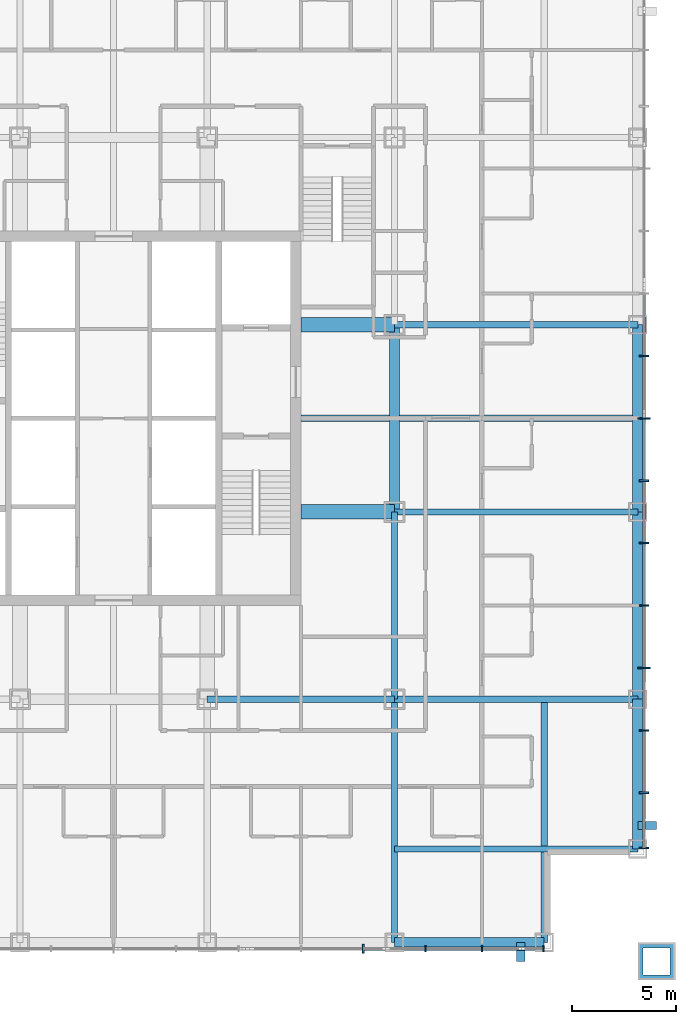
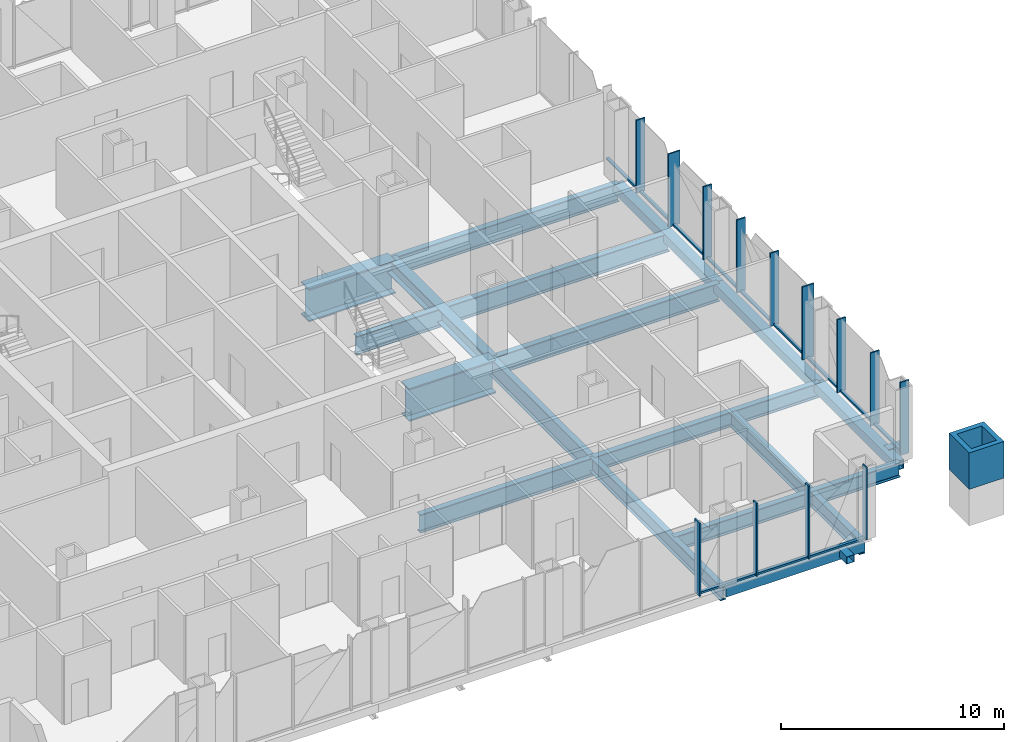
# One storey, part 3 of 23: 28 members, 16 beams, 2 elements without a shape of their own.
"""IFC4 building model written with IfcOpenShell, lengths in metres."""

import ifcopenshell
import ifcopenshell.guid

model = None  # the IFC model being written
_history = None  # IfcOwnerHistory: only IFC2X3 demands one
_inside = {}  # id of a spatial element -> (the spatial element, [elements in it])
_under = {}  # id of a project, library or spatial element -> (it, [spatial elements below it])
_declared = {}  # id of a project -> (the project, [libraries it declares])
_typed = {}  # id of a type object -> (the type object, [elements of that type])
_made_of = {}  # id of a material, layer set ... -> (it, [elements and type objects made of it])


def new_model(schema):
    """Start an empty IFC model of exactly this schema.

    Asked for "IFC4X3", IfcOpenShell would pick the latest addendum, in which some entities
    have other attributes; the version numbers below select the first issue.
    IFC2X3 requires an IfcOwnerHistory on every rooted entity: one is made here for all.
    """
    global model, _history
    if schema == "IFC4X3":
        model = ifcopenshell.file(schema_version=(4, 3, 0, 0))
    else:
        model = ifcopenshell.file(schema=schema)
    _inside.clear()
    _under.clear()
    _declared.clear()
    _typed.clear()
    _made_of.clear()
    _history = None
    if model.schema == "IFC2X3":
        org = make("IfcOrganization", Name="unknown")
        user = make(
            "IfcPersonAndOrganization",
            ThePerson=make("IfcPerson", FamilyName="unknown"),
            TheOrganization=org,
        )
        app = make(
            "IfcApplication",
            ApplicationDeveloper=org,
            Version="unknown",
            ApplicationFullName="unknown",
            ApplicationIdentifier="unknown",
        )
        _history = make(
            "IfcOwnerHistory",
            OwningUser=user,
            OwningApplication=app,
            ChangeAction="ADDED",
            CreationDate=0,
        )
    return model


def make(cls, **values):
    """One entity of the class cls with the attributes given. An attribute that is None is left unset."""
    return model.create_entity(
        cls, **{name: value for name, value in values.items() if value is not None}
    )


def rooted(cls, **values):
    """An entity with a GlobalId (a new one), such as an element, a storey or a relation."""
    return make(cls, GlobalId=ifcopenshell.guid.new(), OwnerHistory=_history, **values)


def si_unit(unit_type, name, prefix=None):
    """IfcSIUnit, for example si_unit("LENGTHUNIT", "METRE", prefix="MILLI")."""
    return make("IfcSIUnit", UnitType=unit_type, Prefix=prefix, Name=name)


def assignment(units):
    """IfcUnitAssignment: the units of a project."""
    return None if units is None else make("IfcUnitAssignment", Units=units)


def point(xyz):
    """IfcCartesianPoint."""
    return None if xyz is None else make("IfcCartesianPoint", Coordinates=xyz)


def direction(xyz):
    """IfcDirection."""
    return None if xyz is None else make("IfcDirection", DirectionRatios=xyz)


def frame(location, z_axis=None, x_axis=None):
    """IfcAxis2Placement3D, a coordinate frame: its origin and axes. An axis left out is left unset."""
    return make(
        "IfcAxis2Placement3D",
        Location=point(location),
        Axis=direction(z_axis),
        RefDirection=direction(x_axis),
    )


def frame_2d(location, x_axis=None):
    """IfcAxis2Placement2D, a coordinate frame in the plane: its origin and x axis."""
    return make(
        "IfcAxis2Placement2D", Location=point(location), RefDirection=direction(x_axis)
    )


def origin():
    """The frame at (0, 0, 0) with its axes left unset."""
    return frame((0.0, 0.0, 0.0))


def origin_2d():
    """The frame at (0, 0) in the plane with its x axis left unset."""
    return frame_2d((0.0, 0.0))


def place(relative_to, where):
    """IfcLocalPlacement: puts the frame where relative to a parent placement (None: the world)."""
    return make(
        "IfcLocalPlacement", PlacementRelTo=relative_to, RelativePlacement=where
    )


def context(
    kind, dimensions, precision=None, world=None, true_north=None, identifier=None
):
    """IfcGeometricRepresentationContext, for example the 3D "Model" context."""
    return make(
        "IfcGeometricRepresentationContext",
        ContextIdentifier=identifier,
        ContextType=kind,
        CoordinateSpaceDimension=dimensions,
        Precision=precision,
        WorldCoordinateSystem=world,
        TrueNorth=true_north,
    )


def subcontext(parent, identifier, kind, view, scale=None):
    """IfcGeometricRepresentationSubContext, for example "Body" below "Model"."""
    return make(
        "IfcGeometricRepresentationSubContext",
        ContextIdentifier=identifier,
        ContextType=kind,
        ParentContext=parent,
        TargetScale=scale,
        TargetView=view,
    )


def project(units=None, contexts=None):
    """IfcProject with its units and contexts."""
    return rooted(
        "IfcProject",
        Name="project",
        RepresentationContexts=contexts,
        UnitsInContext=assignment(units),
    )


def spatial(cls, under=None, at=None, **own):
    """A site, building, storey or space (cls), placed at a placement, below another one or the project."""
    s = rooted(cls, ObjectPlacement=at, **own)
    if under is not None:
        _under.setdefault(under.id(), (under, []))[1].append(s)
    return s


def profile(cls, at=None, kind="AREA", **sizes):
    """A parametric profile (cls). Its sizes go by their IFC names, for example OverallWidth=200.0."""
    return make(cls, ProfileType=kind, Position=at, **sizes)


def rectangle(**sizes):
    """IfcRectangleProfileDef."""
    return profile("IfcRectangleProfileDef", **sizes)


def hollow_rectangle(**sizes):
    """IfcRectangleHollowProfileDef."""
    return profile("IfcRectangleHollowProfileDef", **sizes)


def i_section(**sizes):
    """IfcIShapeProfileDef."""
    return profile("IfcIShapeProfileDef", **sizes)


def extrude(swept, where, along, depth):
    """IfcExtrudedAreaSolid: the profile swept, set in the frame where, extruded along a direction by depth."""
    return make(
        "IfcExtrudedAreaSolid",
        SweptArea=swept,
        Position=where,
        ExtrudedDirection=direction(along),
        Depth=depth,
    )


def shape(context_of_items, identifier, shape_type, items):
    """IfcShapeRepresentation: the items that make up one representation, for example the "Body"."""
    return make(
        "IfcShapeRepresentation",
        ContextOfItems=context_of_items,
        RepresentationIdentifier=identifier,
        RepresentationType=shape_type,
        Items=items,
    )


def material(Name=None, Category=None):
    """IfcMaterial."""
    return make("IfcMaterial", Name=Name, Category=Category)


def layer(
    of_material, thickness, ventilated=None, Name=None, Category=None, Priority=None
):
    """IfcMaterialLayer: one layer of a wall or slab, of a material (None: an air gap)."""
    return make(
        "IfcMaterialLayer",
        Material=of_material,
        LayerThickness=thickness,
        IsVentilated=ventilated,
        Name=Name,
        Category=Category,
        Priority=Priority,
    )


def layer_set(layers, Name=None):
    """IfcMaterialLayerSet."""
    return make("IfcMaterialLayerSet", MaterialLayers=layers, LayerSetName=Name)


def material_profile(
    of_material, cross_section, Name=None, Category=None, Priority=None
):
    """IfcMaterialProfile: a cross section and its material."""
    return make(
        "IfcMaterialProfile",
        Name=Name,
        Material=of_material,
        Profile=cross_section,
        Priority=Priority,
        Category=Category,
    )


def profile_set(profiles, Name=None, composite=None):
    """IfcMaterialProfileSet."""
    return make(
        "IfcMaterialProfileSet",
        Name=Name,
        MaterialProfiles=profiles,
        CompositeProfile=composite,
    )


def made_of(thing, what):
    """Note that an element or type object is made of a material, layer set ...; save() writes the relation."""
    if what is not None:
        _made_of.setdefault(what.id(), (what, []))[1].append(thing)
    return thing


def type_object(cls, material=None, **own):
    """A type object (cls), such as IfcWallType, which elements share."""
    return made_of(rooted(cls, **own), material)


def element(
    cls,
    number,
    at=None,
    inside=None,
    cuts=None,
    type_object=None,
    material=None,
    context=None,
    identifier="Body",
    shape_type=None,
    held_by="IfcProductDefinitionShape",
    body=None,
    shapes=None,
    **own,
):
    """One element of the class cls, such as IfcWall. Its Tag is "e" and its number.

    at: its placement. inside: the storey or other place that contains it. cuts: it is an
    opening in that element (IfcRelVoidsElement). A single representation is given by context,
    identifier, shape_type and body (its items); several are given by shapes. held_by: the class
    of the entity that holds the representations. save() writes the other relations.
    """
    e = rooted(cls, Tag="e%d" % number, ObjectPlacement=at, **own)
    if body is not None:
        shapes = [shape(context, identifier, shape_type, body)]
    if shapes is not None:
        e.Representation = make(held_by, Representations=shapes)
    if inside is not None:
        _inside.setdefault(inside.id(), (inside, []))[1].append(e)
    if cuts is not None:
        rooted(
            "IfcRelVoidsElement", RelatingBuildingElement=cuts, RelatedOpeningElement=e
        )
    if type_object is not None:
        _typed.setdefault(type_object.id(), (type_object, []))[1].append(e)
    return made_of(e, material)


def aggregate(whole, parts):
    """IfcRelAggregates: a whole, such as a stair, and the parts it consists of."""
    return rooted("IfcRelAggregates", RelatingObject=whole, RelatedObjects=parts)


def save(model, path):
    """Write the relations noted so far, then the file.

    IfcRelAggregates (storeys below a building ...), IfcRelContainedInSpatialStructure (elements
    in a storey), IfcRelDefinesByType, IfcRelAssociatesMaterial and IfcRelDeclares: one each for
    every whole, place, type object, material and project.
    """
    for whole, parts in _under.values():
        aggregate(whole, parts)
    for where, things in _inside.values():
        rooted(
            "IfcRelContainedInSpatialStructure",
            RelatedElements=things,
            RelatingStructure=where,
        )
    for kind, things in _typed.values():
        rooted("IfcRelDefinesByType", RelatedObjects=things, RelatingType=kind)
    for what, things in _made_of.values():
        rooted("IfcRelAssociatesMaterial", RelatedObjects=things, RelatingMaterial=what)
    for by, libraries in _declared.values():
        rooted("IfcRelDeclares", RelatingContext=by, RelatedDefinitions=libraries)
    model.write(path)


model = new_model("IFC4")

# Units and contexts
model_context = context("Model", 3, precision=1e-05, world=origin(), true_north=direction((0.0, 1.0)))
body_context = subcontext(model_context, "Body", "Model", "MODEL_VIEW")
ifc_project = project(units=[si_unit("LENGTHUNIT", "METRE"), si_unit("AREAUNIT", "SQUARE_METRE"), si_unit("VOLUMEUNIT", "CUBIC_METRE"), si_unit("PLANEANGLEUNIT", "RADIAN"), si_unit("MASSUNIT", "GRAM", prefix="KILO")], contexts=[model_context])

# Site, building, storey
site_placement = place(None, origin())
site = spatial("IfcSite", under=ifc_project, at=site_placement, CompositionType="ELEMENT")
building_placement = place(site_placement, origin())
building = spatial("IfcBuilding", under=site, at=building_placement, Name="Malebo Sky Hospital", CompositionType="ELEMENT")
storey_placement = place(building_placement, frame((0.0, 0.0, 91.0)))
storey = spatial("IfcBuildingStorey", under=building, at=storey_placement, Name="L21", CompositionType="ELEMENT", Elevation=91.0)

# Curtain wall, members
ifc_material_1 = material(Name="Anodised aluminium, natural silver", Category="aluminium")
ifc_layer_1 = layer(ifc_material_1, 0.25)
ifc_layer_set_1 = layer_set([ifc_layer_1], Name="WARD CURTAIN WALL NORTH AND SOUTH")
curtain_wall_type_1 = type_object("IfcCurtainWallType", Name="WARD CURTAIN WALL NORTH AND SOUTH", PredefinedType="NOTDEFINED", material=ifc_layer_set_1)
curtain_wall_1_placement = place(storey_placement, origin())
curtain_wall_1 = element("IfcCurtainWall", 1, at=curtain_wall_1_placement, inside=storey, type_object=curtain_wall_type_1, Name="NS curtain wall S", PredefinedType="NOTDEFINED")
ifc_material_profile_1 = material_profile(ifc_material_1, rectangle(XDim=0.14990234375, YDim=0.10009765625, at=origin_2d()), Name="ALUMINIUM TRANSOM 150x100")
ifc_profile_set_1 = profile_set([ifc_material_profile_1], Name="Anodised aluminium, natural silver")
member_type_1 = type_object("IfcMemberType", Name="ALUMINIUM TRANSOM 150x100", PredefinedType="USERDEFINED", material=ifc_profile_set_1)
member_1_placement = place(storey_placement, frame((80.625, 36.5, 0.050048828125), z_axis=(-1.0, 0.0, 0.0), x_axis=(0.0, -1.0, 0.0)))
member_1 = element("IfcMember", 2, at=member_1_placement, type_object=member_type_1, Name="Transom 1", ObjectType="TRANSOM", PredefinedType="USERDEFINED", context=body_context, shape_type="SweptSolid", body=[
    extrude(rectangle(XDim=0.14990234375, YDim=0.10009765625, at=origin_2d()), origin(), (0.0, 0.0, 1.0), 2.887451171875),
])
member_2_placement = place(storey_placement, frame((77.66259765625, 36.5, 0.050048828125), z_axis=(-1.0, 0.0, 0.0), x_axis=(0.0, -1.0, 0.0)))
member_2 = element("IfcMember", 3, at=member_2_placement, type_object=member_type_1, Name="Transom 2", ObjectType="TRANSOM", PredefinedType="USERDEFINED", context=body_context, shape_type="SweptSolid", body=[
    extrude(rectangle(XDim=0.14990234375, YDim=0.10009765625, at=origin_2d()), origin(), (0.0, 0.0, 1.0), 2.625),
])
member_3_placement = place(storey_placement, frame((74.96240234375, 36.5, 0.050048828125), z_axis=(-1.0, 0.0, 0.0), x_axis=(0.0, -1.0, 0.0)))
member_3 = element("IfcMember", 4, at=member_3_placement, type_object=member_type_1, Name="Transom 3", ObjectType="TRANSOM", PredefinedType="USERDEFINED", context=body_context, shape_type="SweptSolid", body=[
    extrude(rectangle(XDim=0.14990234375, YDim=0.10009765625, at=origin_2d()), origin(), (0.0, 0.0, 1.0), 2.9248046875),
])

ifc_layer_2 = layer(ifc_material_1, 0.25)
ifc_layer_set_2 = layer_set([ifc_layer_2], Name="WARD CURTAIN WALL EAST AND WEST")
curtain_wall_type_2 = type_object("IfcCurtainWallType", Name="WARD CURTAIN WALL EAST AND WEST", PredefinedType="NOTDEFINED", material=ifc_layer_set_2)
curtain_wall_2_placement = place(storey_placement, origin())
curtain_wall_2 = element("IfcCurtainWall", 5, at=curtain_wall_2_placement, inside=storey, type_object=curtain_wall_type_2, Name="EW curtain wall E", PredefinedType="NOTDEFINED")
member_4_placement = place(storey_placement, frame((85.5, 67.96240234375, 0.050048828125), z_axis=(0.0, -1.0, 0.0), x_axis=(1.0, 0.0, 0.0)))
member_4 = element("IfcMember", 6, at=member_4_placement, type_object=member_type_1, Name="Transom 6", ObjectType="TRANSOM", PredefinedType="USERDEFINED", context=body_context, shape_type="SweptSolid", body=[
    extrude(rectangle(XDim=0.14990234375, YDim=0.10009765625, at=origin_2d()), origin(), (0.0, 0.0, 1.0), 2.9248046875),
])
member_5_placement = place(storey_placement, frame((85.5, 64.96240234375, 0.050048828125), z_axis=(0.0, -1.0, 0.0), x_axis=(1.0, 0.0, 0.0)))
member_5 = element("IfcMember", 7, at=member_5_placement, type_object=member_type_1, Name="Transom 7", ObjectType="TRANSOM", PredefinedType="USERDEFINED", context=body_context, shape_type="SweptSolid", body=[
    extrude(rectangle(XDim=0.14990234375, YDim=0.10009765625, at=origin_2d()), origin(), (0.0, 0.0, 1.0), 2.9248046875),
])
member_6_placement = place(storey_placement, frame((85.5, 61.96240234375, 0.050048828125), z_axis=(0.0, -1.0, 0.0), x_axis=(1.0, 0.0, 0.0)))
member_6 = element("IfcMember", 8, at=member_6_placement, type_object=member_type_1, Name="Transom 8", ObjectType="TRANSOM", PredefinedType="USERDEFINED", context=body_context, shape_type="SweptSolid", body=[
    extrude(rectangle(XDim=0.14990234375, YDim=0.10009765625, at=origin_2d()), origin(), (0.0, 0.0, 1.0), 2.9248046875),
])
member_7_placement = place(storey_placement, frame((85.5, 58.96240234375, 0.050048828125), z_axis=(0.0, -1.0, 0.0), x_axis=(1.0, 0.0, 0.0)))
member_7 = element("IfcMember", 9, at=member_7_placement, type_object=member_type_1, Name="Transom 9", ObjectType="TRANSOM", PredefinedType="USERDEFINED", context=body_context, shape_type="SweptSolid", body=[
    extrude(rectangle(XDim=0.14990234375, YDim=0.10009765625, at=origin_2d()), origin(), (0.0, 0.0, 1.0), 2.9248046875),
])
member_8_placement = place(storey_placement, frame((85.5, 55.96240234375, 0.050048828125), z_axis=(0.0, -1.0, 0.0), x_axis=(1.0, 0.0, 0.0)))
member_8 = element("IfcMember", 10, at=member_8_placement, type_object=member_type_1, Name="Transom 10", ObjectType="TRANSOM", PredefinedType="USERDEFINED", context=body_context, shape_type="SweptSolid", body=[
    extrude(rectangle(XDim=0.14990234375, YDim=0.10009765625, at=origin_2d()), origin(), (0.0, 0.0, 1.0), 2.9248046875),
])
member_9_placement = place(storey_placement, frame((85.5, 52.96240234375, 0.050048828125), z_axis=(0.0, -1.0, 0.0), x_axis=(1.0, 0.0, 0.0)))
member_9 = element("IfcMember", 11, at=member_9_placement, type_object=member_type_1, Name="Transom 11", ObjectType="TRANSOM", PredefinedType="USERDEFINED", context=body_context, shape_type="SweptSolid", body=[
    extrude(rectangle(XDim=0.14990234375, YDim=0.10009765625, at=origin_2d()), origin(), (0.0, 0.0, 1.0), 2.9248046875),
])
member_10_placement = place(storey_placement, frame((85.5, 49.96240234375, 0.050048828125), z_axis=(0.0, -1.0, 0.0), x_axis=(1.0, 0.0, 0.0)))
member_10 = element("IfcMember", 12, at=member_10_placement, type_object=member_type_1, Name="Transom 12", ObjectType="TRANSOM", PredefinedType="USERDEFINED", context=body_context, shape_type="SweptSolid", body=[
    extrude(rectangle(XDim=0.14990234375, YDim=0.10009765625, at=origin_2d()), origin(), (0.0, 0.0, 1.0), 2.9248046875),
])
member_11_placement = place(storey_placement, frame((85.5, 46.96240234375, 0.050048828125), z_axis=(0.0, -1.0, 0.0), x_axis=(1.0, 0.0, 0.0)))
member_11 = element("IfcMember", 13, at=member_11_placement, type_object=member_type_1, Name="Transom 13", ObjectType="TRANSOM", PredefinedType="USERDEFINED", context=body_context, shape_type="SweptSolid", body=[
    extrude(rectangle(XDim=0.14990234375, YDim=0.10009765625, at=origin_2d()), origin(), (0.0, 0.0, 1.0), 2.9248046875),
])
member_12_placement = place(storey_placement, frame((85.5, 43.96240234375, 0.050048828125), z_axis=(0.0, -1.0, 0.0), x_axis=(1.0, 0.0, 0.0)))
member_12 = element("IfcMember", 14, at=member_12_placement, type_object=member_type_1, Name="Transom 14", ObjectType="TRANSOM", PredefinedType="USERDEFINED", context=body_context, shape_type="SweptSolid", body=[
    extrude(rectangle(XDim=0.14990234375, YDim=0.10009765625, at=origin_2d()), origin(), (0.0, 0.0, 1.0), 2.58740234375),
])

# Members
ifc_material_2 = material(Name="Steel S355", Category="steel")
ifc_material_profile_2 = material_profile(ifc_material_2, hollow_rectangle(XDim=0.39990234375, YDim=0.39990234375, WallThickness=0.02001953125, at=origin_2d()), Name="SHS 400x20")
ifc_profile_set_2 = profile_set([ifc_material_profile_2], Name="Steel S355")
member_type_2 = type_object("IfcMemberType", Name="BRACE STRUT SHS 400x20", PredefinedType="STRUT", material=ifc_profile_set_2)
for number, where, z_axis, x_axis, name in (
    (15, (79.574951171875, 35.89990234375, -0.39990234375), (0.0, 1.0, 0.0), (-1.0, 0.0, 0.0), "Brace strut AS1 L21"),
    (16, (86.10009765625, 42.425048828125, -0.39990234375), (-1.0, 0.0, 0.0), (0.0, -1.0, 0.0), "Brace strut AE2 L21"),
):
    element("IfcMember", number, at=place(storey_placement, frame(where, z_axis=z_axis, x_axis=x_axis)), inside=storey, type_object=member_type_2, Name=name, PredefinedType="STRUT", context=body_context, shape_type="SweptSolid", body=[
        extrude(hollow_rectangle(XDim=0.39990234375, YDim=0.39990234375, WallThickness=0.02001953125, at=origin_2d()), origin(), (0.0, 0.0, 1.0), 0.900146484375),
    ])

# Member
ifc_material_profile_3 = material_profile(ifc_material_1, rectangle(XDim=0.074951171875, YDim=0.300048828125, at=origin_2d()), Name="CW1 ALUMINIUM FIN MULLION 75x300")
ifc_profile_set_3 = profile_set([ifc_material_profile_3], Name="Anodised aluminium, natural silver")
member_type_3 = type_object("IfcMemberType", Name="CW1 ALUMINIUM FIN MULLION 75x300", PredefinedType="MULLION", material=ifc_profile_set_3)
member_13_placement = place(storey_placement, frame((80.66259765625, 36.5, 0.0), z_axis=(0.0, 0.0, 1.0), x_axis=(-1.0, 0.0, 0.0)))
member_13 = element("IfcMember", 17, at=member_13_placement, type_object=member_type_3, Name="Fin mullion 1", PredefinedType="MULLION", context=body_context, shape_type="SweptSolid", body=[
    extrude(rectangle(XDim=0.074951171875, YDim=0.300048828125, at=origin_2d()), origin(), (0.0, 0.0, 1.0), 4.0),
])

member_14_placement = place(storey_placement, frame((77.699951171875, 36.5, 0.0), z_axis=(0.0, 0.0, 1.0), x_axis=(-1.0, 0.0, 0.0)))
member_14 = element("IfcMember", 18, at=member_14_placement, type_object=member_type_3, Name="Fin mullion 2", PredefinedType="MULLION", context=body_context, shape_type="SweptSolid", body=[
    extrude(rectangle(XDim=0.074951171875, YDim=0.300048828125, at=origin_2d()), origin(), (0.0, 0.0, 1.0), 4.0),
])

member_15_placement = place(storey_placement, frame((75.0, 36.5, 0.0), z_axis=(0.0, 0.0, 1.0), x_axis=(-1.0, 0.0, 0.0)))
member_15 = element("IfcMember", 19, at=member_15_placement, type_object=member_type_3, Name="Fin mullion 3", PredefinedType="MULLION", context=body_context, shape_type="SweptSolid", body=[
    extrude(rectangle(XDim=0.074951171875, YDim=0.300048828125, at=origin_2d()), origin(), (0.0, 0.0, 1.0), 4.0),
])

ifc_material_profile_4 = material_profile(ifc_material_1, rectangle(XDim=0.074951171875, YDim=0.449951171875, at=origin_2d()), Name="CW1 ALUMINIUM FIN MULLION 75x450")
ifc_profile_set_4 = profile_set([ifc_material_profile_4], Name="Anodised aluminium, natural silver")
member_type_4 = type_object("IfcMemberType", Name="CW1 ALUMINIUM FIN MULLION 75x450", PredefinedType="MULLION", material=ifc_profile_set_4)
member_16_placement = place(storey_placement, frame((72.0, 36.5, 0.0), z_axis=(0.0, 0.0, 1.0), x_axis=(-1.0, 0.0, 0.0)))
member_16 = element("IfcMember", 20, at=member_16_placement, type_object=member_type_4, Name="Fin mullion 4", PredefinedType="MULLION", context=body_context, shape_type="SweptSolid", body=[
    extrude(rectangle(XDim=0.074951171875, YDim=0.449951171875, at=origin_2d()), origin(), (0.0, 0.0, 1.0), 4.0),
])

aggregate(curtain_wall_1, [member_13, member_14, member_15, member_16, member_1, member_2, member_3])

ifc_material_profile_5 = material_profile(ifc_material_1, rectangle(XDim=0.074951171875, YDim=0.449951171875, at=origin_2d()), Name="CW2 ALUMINIUM FIN MULLION 75x450")
ifc_profile_set_5 = profile_set([ifc_material_profile_5], Name="Anodised aluminium, natural silver")
member_type_5 = type_object("IfcMemberType", Name="CW2 ALUMINIUM FIN MULLION 75x450", PredefinedType="MULLION", material=ifc_profile_set_5)
member_17_placement = place(storey_placement, frame((85.5, 65.0, 0.0), z_axis=(0.0, 0.0, 1.0), x_axis=(0.0, -1.0, 0.0)))
member_17 = element("IfcMember", 21, at=member_17_placement, type_object=member_type_5, Name="Fin mullion 7", PredefinedType="MULLION", context=body_context, shape_type="SweptSolid", body=[
    extrude(rectangle(XDim=0.074951171875, YDim=0.449951171875, at=origin_2d()), origin(), (0.0, 0.0, 1.0), 4.0),
])

member_18_placement = place(storey_placement, frame((85.5, 59.0, 0.0), z_axis=(0.0, 0.0, 1.0), x_axis=(0.0, -1.0, 0.0)))
member_18 = element("IfcMember", 22, at=member_18_placement, type_object=member_type_5, Name="Fin mullion 9", PredefinedType="MULLION", context=body_context, shape_type="SweptSolid", body=[
    extrude(rectangle(XDim=0.074951171875, YDim=0.449951171875, at=origin_2d()), origin(), (0.0, 0.0, 1.0), 4.0),
])

member_19_placement = place(storey_placement, frame((85.5, 56.0, 0.0), z_axis=(0.0, 0.0, 1.0), x_axis=(0.0, -1.0, 0.0)))
member_19 = element("IfcMember", 23, at=member_19_placement, type_object=member_type_5, Name="Fin mullion 10", PredefinedType="MULLION", context=body_context, shape_type="SweptSolid", body=[
    extrude(rectangle(XDim=0.074951171875, YDim=0.449951171875, at=origin_2d()), origin(), (0.0, 0.0, 1.0), 4.0),
])

member_20_placement = place(storey_placement, frame((85.5, 53.0, 0.0), z_axis=(0.0, 0.0, 1.0), x_axis=(0.0, -1.0, 0.0)))
member_20 = element("IfcMember", 24, at=member_20_placement, type_object=member_type_5, Name="Fin mullion 11", PredefinedType="MULLION", context=body_context, shape_type="SweptSolid", body=[
    extrude(rectangle(XDim=0.074951171875, YDim=0.449951171875, at=origin_2d()), origin(), (0.0, 0.0, 1.0), 4.0),
])

member_21_placement = place(storey_placement, frame((85.5, 47.0, 0.0), z_axis=(0.0, 0.0, 1.0), x_axis=(0.0, -1.0, 0.0)))
member_21 = element("IfcMember", 25, at=member_21_placement, type_object=member_type_5, Name="Fin mullion 13", PredefinedType="MULLION", context=body_context, shape_type="SweptSolid", body=[
    extrude(rectangle(XDim=0.074951171875, YDim=0.449951171875, at=origin_2d()), origin(), (0.0, 0.0, 1.0), 4.0),
])

member_22_placement = place(storey_placement, frame((85.5, 44.0, 0.0), z_axis=(0.0, 0.0, 1.0), x_axis=(0.0, -1.0, 0.0)))
member_22 = element("IfcMember", 26, at=member_22_placement, type_object=member_type_5, Name="Fin mullion 14", PredefinedType="MULLION", context=body_context, shape_type="SweptSolid", body=[
    extrude(rectangle(XDim=0.074951171875, YDim=0.449951171875, at=origin_2d()), origin(), (0.0, 0.0, 1.0), 4.0),
])

member_23_placement = place(storey_placement, frame((85.5, 41.33740234375, 0.0), z_axis=(0.0, 0.0, 1.0), x_axis=(0.0, -1.0, 0.0)))
member_23 = element("IfcMember", 27, at=member_23_placement, type_object=member_type_5, Name="Fin mullion 15", PredefinedType="MULLION", context=body_context, shape_type="SweptSolid", body=[
    extrude(rectangle(XDim=0.074951171875, YDim=0.449951171875, at=origin_2d()), origin(), (0.0, 0.0, 1.0), 4.0),
])

ifc_material_profile_6 = material_profile(ifc_material_1, rectangle(XDim=0.074951171875, YDim=0.60009765625, at=origin_2d()), Name="CW2 ALUMINIUM FIN MULLION 75x600")
ifc_profile_set_6 = profile_set([ifc_material_profile_6], Name="Anodised aluminium, natural silver")
member_type_6 = type_object("IfcMemberType", Name="CW2 ALUMINIUM FIN MULLION 75x600", PredefinedType="MULLION", material=ifc_profile_set_6)
member_24_placement = place(storey_placement, frame((85.5, 62.0, 0.0), z_axis=(0.0, 0.0, 1.0), x_axis=(0.0, -1.0, 0.0)))
member_24 = element("IfcMember", 28, at=member_24_placement, type_object=member_type_6, Name="Fin mullion 8", PredefinedType="MULLION", context=body_context, shape_type="SweptSolid", body=[
    extrude(rectangle(XDim=0.074951171875, YDim=0.60009765625, at=origin_2d()), origin(), (0.0, 0.0, 1.0), 4.0),
])

member_25_placement = place(storey_placement, frame((85.5, 50.0, 0.0), z_axis=(0.0, 0.0, 1.0), x_axis=(0.0, -1.0, 0.0)))
member_25 = element("IfcMember", 29, at=member_25_placement, type_object=member_type_6, Name="Fin mullion 12", PredefinedType="MULLION", context=body_context, shape_type="SweptSolid", body=[
    extrude(rectangle(XDim=0.074951171875, YDim=0.60009765625, at=origin_2d()), origin(), (0.0, 0.0, 1.0), 4.0),
])

aggregate(curtain_wall_2, [member_17, member_24, member_18, member_19, member_20, member_25, member_21, member_22, member_23, member_4, member_5, member_6, member_7, member_8, member_9, member_10, member_11, member_12])

# Beams
ifc_material_3 = material(Name="Steel S460", Category="steel")
ifc_material_profile_7 = material_profile(ifc_material_3, hollow_rectangle(XDim=0.5, YDim=0.5, WallThickness=0.030029296875, at=origin_2d()), Name="BOX 500x500x30")
ifc_profile_set_7 = profile_set([ifc_material_profile_7], Name="Steel S460")
beam_type_1 = type_object("IfcBeamType", Name="EDGE BEAM BOX 500x500x30", PredefinedType="BEAM", material=ifc_profile_set_7)
beam_1_placement = place(storey_placement, frame((85.199951171875, 41.300048828125, -0.5), z_axis=(0.0, 1.0, 0.0), x_axis=(-1.0, 0.0, 0.0)))
element("IfcBeam", 30, at=beam_1_placement, inside=storey, type_object=beam_type_1, Name="Beam 029 L21", PredefinedType="BEAM", context=body_context, shape_type="SweptSolid", body=[
    extrude(hollow_rectangle(XDim=0.5, YDim=0.5, WallThickness=0.030029296875, at=origin_2d()), origin(), (0.0, 0.0, 1.0), 7.199951171875),
])
for number, where, z_axis, x_axis, name in (
    (31, (85.199951171875, 48.5, -0.5), (0.0, 1.0, 0.0), (-1.0, 0.0, 0.0), "Beam 030 L21"),
    (32, (85.199951171875, 57.5, -0.5), (0.0, 1.0, 0.0), (-1.0, 0.0, 0.0), "Beam 031 L21"),
):
    element("IfcBeam", number, at=place(storey_placement, frame(where, z_axis=z_axis, x_axis=x_axis)), inside=storey, type_object=beam_type_1, Name=name, PredefinedType="BEAM", context=body_context, shape_type="SweptSolid", body=[
        extrude(hollow_rectangle(XDim=0.5, YDim=0.5, WallThickness=0.030029296875, at=origin_2d()), origin(), (0.0, 0.0, 1.0), 9.0),
    ])
beam_2_placement = place(storey_placement, frame((73.5, 36.800048828125, -0.5), z_axis=(1.0, 0.0, 0.0), x_axis=(0.0, 1.0, 0.0)))
element("IfcBeam", 33, at=beam_2_placement, inside=storey, type_object=beam_type_1, Name="Beam 038 L21", PredefinedType="BEAM", context=body_context, shape_type="SweptSolid", body=[
    extrude(hollow_rectangle(XDim=0.5, YDim=0.5, WallThickness=0.030029296875, at=origin_2d()), origin(), (0.0, 0.0, 1.0), 7.199951171875),
])
ifc_material_profile_8 = material_profile(ifc_material_2, i_section(OverallWidth=0.300048828125, OverallDepth=1.0, WebThickness=0.01904296875, FlangeThickness=0.035888671875, FilletRadius=0.030029296875, at=origin_2d()), Name="HEB 1000")
ifc_profile_set_8 = profile_set([ifc_material_profile_8], Name="Steel S355")
beam_type_2 = type_object("IfcBeamType", Name="FLOOR BEAM HEB 1000", PredefinedType="BEAM", material=ifc_profile_set_8)
for number, where, z_axis, x_axis, name in (
    (34, (73.5, 48.5, -0.75), (0.0, 1.0, 0.0), (-1.0, 0.0, 0.0), "Beam 023 L21"),
    (35, (64.5, 48.5, -0.75), (1.0, 0.0, 0.0), (0.0, 1.0, 0.0), "Beam 044 L21"),
):
    element("IfcBeam", number, at=place(storey_placement, frame(where, z_axis=z_axis, x_axis=x_axis)), inside=storey, type_object=beam_type_2, Name=name, PredefinedType="BEAM", context=body_context, shape_type="SweptSolid", body=[
        extrude(i_section(OverallWidth=0.300048828125, OverallDepth=1.0, WebThickness=0.01904296875, FlangeThickness=0.035888671875, FilletRadius=0.030029296875, at=origin_2d()), origin(), (0.0, 0.0, 1.0), 9.0),
    ])
beam_3_placement = place(storey_placement, frame((73.5, 57.5, -0.75), z_axis=(1.0, 0.0, 0.0), x_axis=(0.0, 1.0, 0.0)))
element("IfcBeam", 36, at=beam_3_placement, inside=storey, type_object=beam_type_2, Name="Beam 049 L21", PredefinedType="BEAM", context=body_context, shape_type="SweptSolid", body=[
    extrude(i_section(OverallWidth=0.300048828125, OverallDepth=1.0, WebThickness=0.01904296875, FlangeThickness=0.035888671875, FilletRadius=0.030029296875, at=origin_2d()), origin(), (0.0, 0.0, 1.0), 11.699951171875),
])
beam_4_placement = place(storey_placement, frame((69.0, 62.0, -0.75), z_axis=(1.0, 0.0, 0.0), x_axis=(0.0, 1.0, 0.0)))
element("IfcBeam", 37, at=beam_4_placement, inside=storey, type_object=beam_type_2, Name="Beam 051 L21", PredefinedType="BEAM", context=body_context, shape_type="SweptSolid", body=[
    extrude(i_section(OverallWidth=0.300048828125, OverallDepth=1.0, WebThickness=0.01904296875, FlangeThickness=0.035888671875, FilletRadius=0.030029296875, at=origin_2d()), origin(), (0.0, 0.0, 1.0), 16.199951171875),
])
beam_5_placement = place(storey_placement, frame((73.5, 66.5, -0.75), z_axis=(1.0, 0.0, 0.0), x_axis=(0.0, 1.0, 0.0)))
element("IfcBeam", 38, at=beam_5_placement, inside=storey, type_object=beam_type_2, Name="Beam 055 L21", PredefinedType="BEAM", context=body_context, shape_type="SweptSolid", body=[
    extrude(i_section(OverallWidth=0.300048828125, OverallDepth=1.0, WebThickness=0.01904296875, FlangeThickness=0.035888671875, FilletRadius=0.030029296875, at=origin_2d()), origin(), (0.0, 0.0, 1.0), 11.699951171875),
])
ifc_material_profile_9 = material_profile(ifc_material_2, i_section(OverallWidth=0.300048828125, OverallDepth=0.800048828125, WebThickness=0.017578125, FlangeThickness=0.032958984375, FilletRadius=0.030029296875, at=origin_2d()), Name="HEB 800")
ifc_profile_set_9 = profile_set([ifc_material_profile_9], Name="Steel S355")
beam_type_3 = type_object("IfcBeamType", Name="FLOOR BEAM HEB 800", PredefinedType="BEAM", material=ifc_profile_set_9)
for number, where, z_axis, x_axis, name in (
    (39, (80.699951171875, 36.800048828125, -0.64990234375), (0.0, 1.0, 0.0), (-1.0, 0.0, 0.0), "Beam 027 L21"),
    (40, (73.5, 41.300048828125, -0.64990234375), (1.0, 0.0, 0.0), (0.0, 1.0, 0.0), "Beam 040 L21"),
):
    element("IfcBeam", number, at=place(storey_placement, frame(where, z_axis=z_axis, x_axis=x_axis)), inside=storey, type_object=beam_type_3, Name=name, PredefinedType="BEAM", context=body_context, shape_type="SweptSolid", body=[
        extrude(i_section(OverallWidth=0.300048828125, OverallDepth=0.800048828125, WebThickness=0.017578125, FlangeThickness=0.032958984375, FilletRadius=0.030029296875, at=origin_2d()), origin(), (0.0, 0.0, 1.0), 11.699951171875),
    ])
ifc_material_profile_10 = material_profile(ifc_material_2, i_section(OverallWidth=0.699951171875, OverallDepth=1.800048828125, WebThickness=0.034912109375, FlangeThickness=0.070068359375, at=origin_2d()), Name="PG 1800x700x35x70")
ifc_profile_set_10 = profile_set([ifc_material_profile_10], Name="Steel S355")
beam_type_4 = type_object("IfcBeamType", Name="FLOOR BEAM PG 1800x700x35x70", PredefinedType="BEAM", material=ifc_profile_set_10)
for number, where, z_axis, x_axis, name in (
    (41, (69.0, 57.5, -1.14990234375), (1.0, 0.0, 0.0), (0.0, 1.0, 0.0), "Beam 048 L21"),
    (42, (69.0, 66.5, -1.14990234375), (1.0, 0.0, 0.0), (0.0, 1.0, 0.0), "Beam 054 L21"),
):
    element("IfcBeam", number, at=place(storey_placement, frame(where, z_axis=z_axis, x_axis=x_axis)), inside=storey, type_object=beam_type_4, Name=name, PredefinedType="BEAM", context=body_context, shape_type="SweptSolid", body=[
        extrude(i_section(OverallWidth=0.699951171875, OverallDepth=1.800048828125, WebThickness=0.034912109375, FlangeThickness=0.070068359375, at=origin_2d()), origin(), (0.0, 0.0, 1.0), 4.5),
    ])
ifc_material_profile_11 = material_profile(ifc_material_2, i_section(OverallWidth=0.300048828125, OverallDepth=0.800048828125, WebThickness=0.017578125, FlangeThickness=0.032958984375, FilletRadius=0.030029296875, at=origin_2d()), Name="HEB 800")
ifc_profile_set_11 = profile_set([ifc_material_profile_11], Name="Steel S355")
beam_type_5 = type_object("IfcBeamType", Name="FLOOR GIRDER HEB 800", PredefinedType="BEAM", material=ifc_profile_set_11)
for number, where, z_axis, x_axis, name in (
    (43, (73.5, 36.800048828125, -0.64990234375), (0.0, 1.0, 0.0), (-1.0, 0.0, 0.0), "Beam 022 L21"),
    (44, (73.5, 48.5, -0.64990234375), (1.0, 0.0, 0.0), (0.0, 1.0, 0.0), "Beam 045 L21"),
):
    element("IfcBeam", number, at=place(storey_placement, frame(where, z_axis=z_axis, x_axis=x_axis)), inside=storey, type_object=beam_type_5, Name=name, PredefinedType="BEAM", context=body_context, shape_type="SweptSolid", body=[
        extrude(i_section(OverallWidth=0.300048828125, OverallDepth=0.800048828125, WebThickness=0.017578125, FlangeThickness=0.032958984375, FilletRadius=0.030029296875, at=origin_2d()), origin(), (0.0, 0.0, 1.0), 11.699951171875),
    ])

# Member
ifc_material_profile_12 = material_profile(ifc_material_3, hollow_rectangle(XDim=1.800048828125, YDim=1.800048828125, WallThickness=0.25, at=origin_2d()), Name="BOX 1800x1800x250")
ifc_profile_set_12 = profile_set([ifc_material_profile_12], Name="Steel S460")
member_type_7 = type_object("IfcMemberType", Name="MEGA COLUMN NODE BOX 1800x1800x250", PredefinedType="MEMBER", material=ifc_profile_set_12)
member_26_placement = place(storey_placement, frame((86.10009765625, 35.89990234375, 2.0), z_axis=(0.0, 0.0, 1.0), x_axis=(1.0, 0.0, 0.0)))
element("IfcMember", 45, at=member_26_placement, inside=storey, type_object=member_type_7, Name="Mega column node SE L21", PredefinedType="MEMBER", context=body_context, shape_type="SweptSolid", body=[
    extrude(hollow_rectangle(XDim=1.800048828125, YDim=1.800048828125, WallThickness=0.25, at=origin_2d()), origin(), (0.0, 0.0, 1.0), 2.0),
])

# Beam
ifc_material_profile_13 = material_profile(ifc_material_2, i_section(OverallWidth=0.5, OverallDepth=0.800048828125, WebThickness=0.030029296875, FlangeThickness=0.050048828125, at=origin_2d()), Name="PG 800x500x30x50")
ifc_profile_set_13 = profile_set([ifc_material_profile_13], Name="Steel S355")
beam_type_6 = type_object("IfcBeamType", Name="RING GIRDER PG 800x500x30x50", PredefinedType="BEAM", material=ifc_profile_set_13)
beam_6_placement = place(storey_placement, frame((73.5, 57.5, -0.64990234375), z_axis=(0.0, 1.0, 0.0), x_axis=(-1.0, 0.0, 0.0)))
element("IfcBeam", 46, at=beam_6_placement, inside=storey, type_object=beam_type_6, Name="Beam 024 L21", PredefinedType="BEAM", context=body_context, shape_type="SweptSolid", body=[
    extrude(i_section(OverallWidth=0.5, OverallDepth=0.800048828125, WebThickness=0.030029296875, FlangeThickness=0.050048828125, at=origin_2d()), origin(), (0.0, 0.0, 1.0), 9.0),
])

save(model, "model.ifc")
